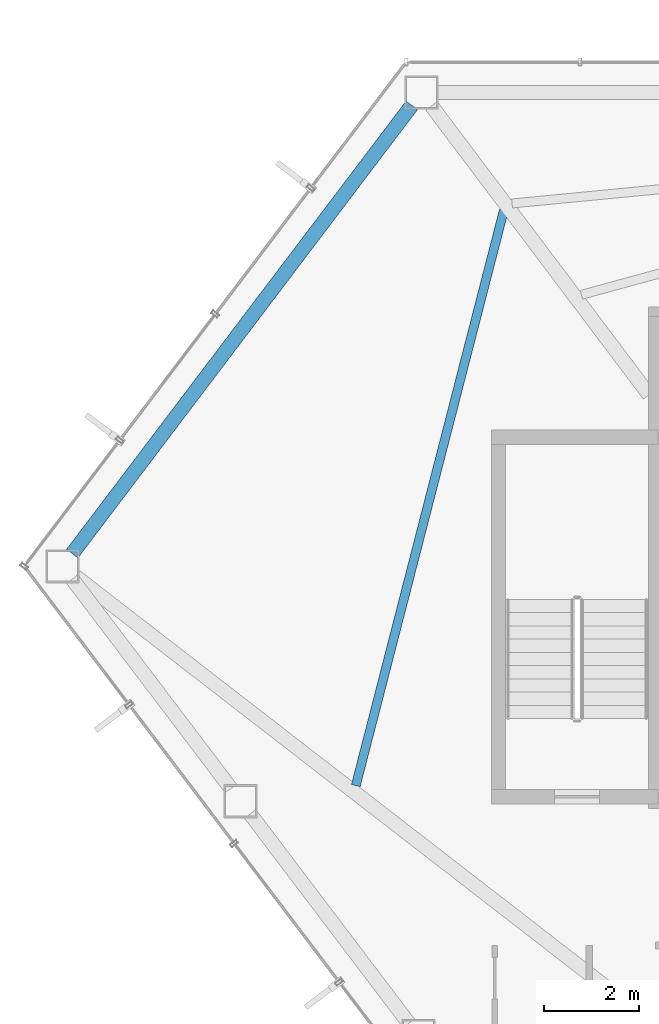
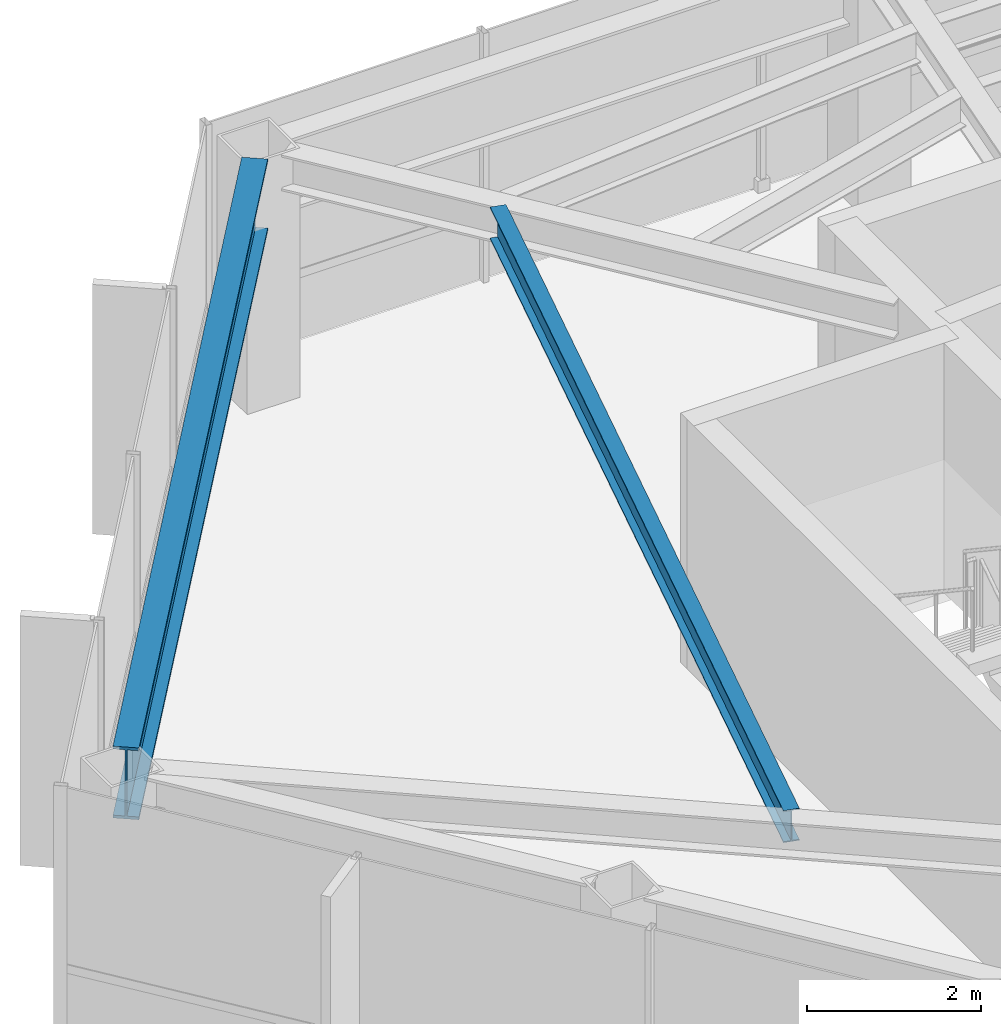
# One storey, part 11 of 28: 2 beams.
"""IFC4 building model written with IfcOpenShell, lengths in metres."""

from ifc_helpers import new_model, si_unit, direction, frame, origin, origin_2d, place, context, subcontext, project, spatial, i_section, extrude, material, material_profile, profile_set, type_object, element, save


model = new_model("IFC4")

# Units and contexts
model_context = context("Model", 3, precision=1e-05, world=origin(), true_north=direction((0.0, 1.0)))
body_context = subcontext(model_context, "Body", "Model", "MODEL_VIEW")
ifc_project = project(units=[si_unit("LENGTHUNIT", "METRE"), si_unit("AREAUNIT", "SQUARE_METRE"), si_unit("VOLUMEUNIT", "CUBIC_METRE"), si_unit("PLANEANGLEUNIT", "RADIAN"), si_unit("MASSUNIT", "GRAM", prefix="KILO")], contexts=[model_context])

# Site, building, storey
site_placement = place(None, origin())
site = spatial("IfcSite", under=ifc_project, at=site_placement, CompositionType="ELEMENT")
building_placement = place(site_placement, origin())
building = spatial("IfcBuilding", under=site, at=building_placement, Name="Zarrinselat Tower", CompositionType="ELEMENT")
storey_placement = place(building_placement, frame((0.0, 0.0, 164.56005859375)))
storey = spatial("IfcBuildingStorey", under=building, at=storey_placement, Name="L40", CompositionType="ELEMENT", Elevation=164.56005859375)

# Beams
ifc_material_1 = material(Name="Steel S460M", Category="steel")
ifc_material_profile_1 = material_profile(ifc_material_1, i_section(OverallWidth=0.302001953125, OverallDepth=1.008056640625, WebThickness=0.02099609375, FlangeThickness=0.0400390625, at=origin_2d()), Name="HEM 1000")
ifc_profile_set_1 = profile_set([ifc_material_profile_1], Name="Steel S460M")
beam_type_1 = type_object("IfcBeamType", Name="BM-HEM1000", PredefinedType="BEAM", material=ifc_profile_set_1)
beam_1_placement = place(storey_placement, frame((16.21337890625, 38.4404296875, 2.995849609375), z_axis=(0.60384938732, 0.797098436477, 0.0), x_axis=(-0.797098436477, 0.60384938732, 0.0)))
element("IfcBeam", 1, at=beam_1_placement, inside=storey, type_object=beam_type_1, Name="L40 Perimeter Spandrel Girder SP05", PredefinedType="BEAM", context=body_context, shape_type="SweptSolid", body=[
    extrude(i_section(OverallWidth=0.302001953125, OverallDepth=1.008056640625, WebThickness=0.02099609375, FlangeThickness=0.0400390625, at=origin_2d()), origin(), (0.0, 0.0, 1.0), 11.891845703125),
])
ifc_material_2 = material(Name="Steel S355J2", Category="steel")
ifc_material_profile_2 = material_profile(ifc_material_2, i_section(OverallWidth=0.18994140625, OverallDepth=0.449951171875, WebThickness=0.009521484375, FlangeThickness=0.0146484375, at=origin_2d()), Name="IPE 450")
ifc_profile_set_2 = profile_set([ifc_material_profile_2], Name="Steel S355J2")
beam_type_2 = type_object("IfcBeamType", Name="BM-IPE450", PredefinedType="JOIST", material=ifc_profile_set_2)
beam_2_placement = place(storey_placement, frame((22.209716796875, 33.5341796875, 3.27490234375), z_axis=(0.249204117575, 0.968450983676, 0.0), x_axis=(-0.968450983676, 0.249204117575, 0.0)))
element("IfcBeam", 2, at=beam_2_placement, inside=storey, type_object=beam_type_2, Name="L40 Composite Floor Joist 10-1", PredefinedType="JOIST", context=body_context, shape_type="SweptSolid", body=[
    extrude(i_section(OverallWidth=0.18994140625, OverallDepth=0.449951171875, WebThickness=0.009521484375, FlangeThickness=0.0146484375, at=origin_2d()), origin(), (0.0, 0.0, 1.0), 12.5576171875),
])

save(model, "model.ifc")
